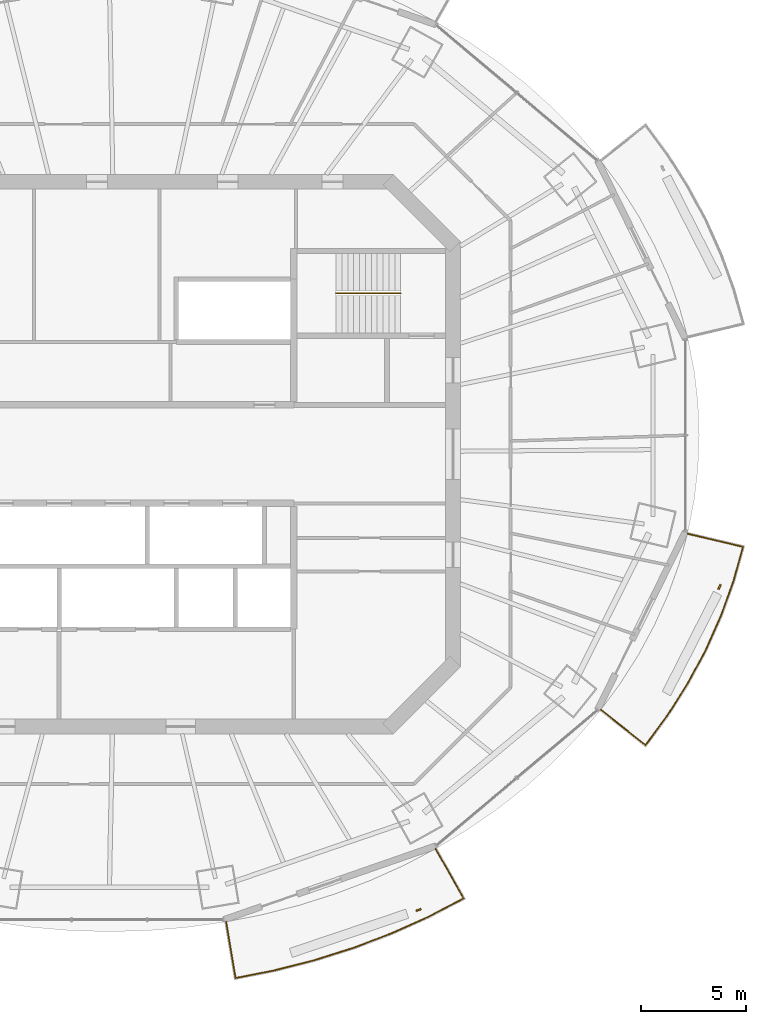
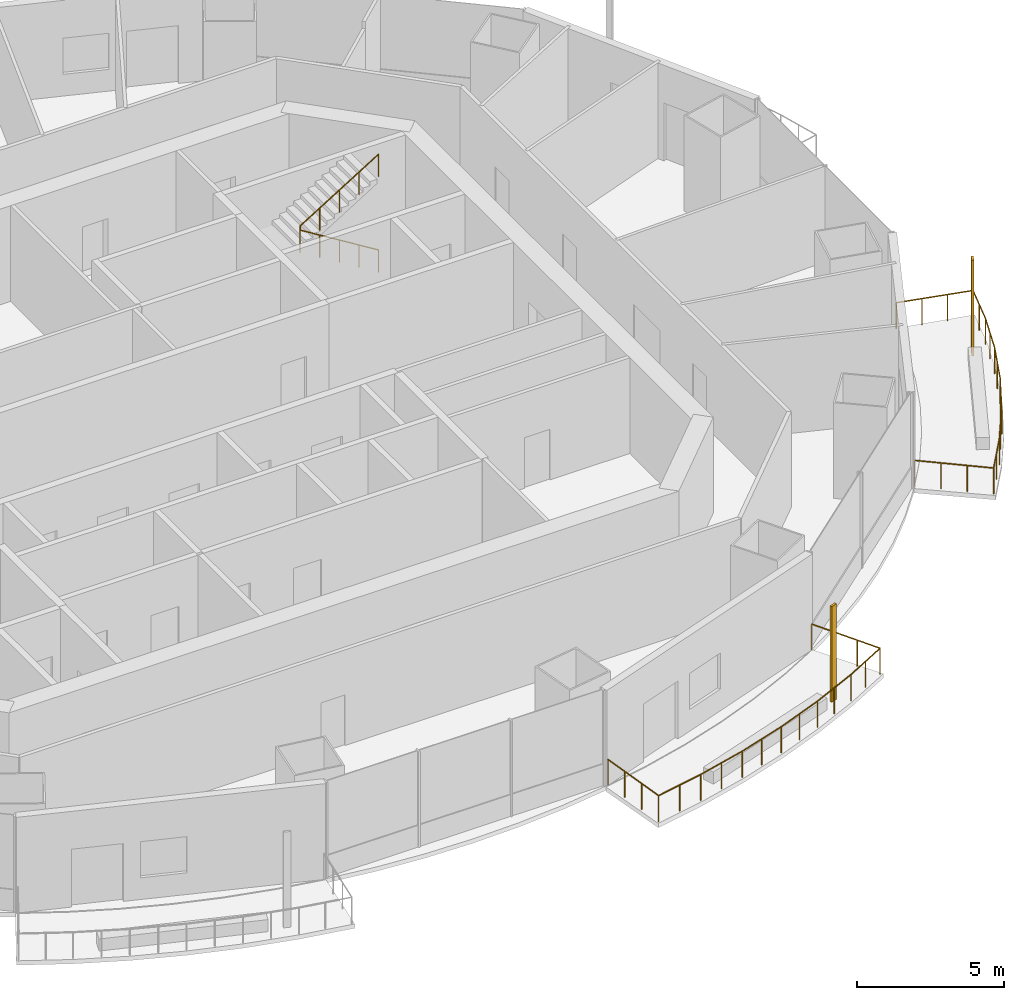
# One storey, part 13 of 16: 3 railings, 2 shading devices.
"""IFC4 building model written with IfcOpenShell, lengths in metres."""

from ifc_helpers import new_model, si_unit, direction, frame, origin, origin_2d, place, context, subcontext, project, spatial, rectangle, circle, extrude, material, material_profile, profile_set, type_object, element, save


model = new_model("IFC4")

# Units and contexts
model_context = context("Model", 3, precision=1e-05, world=origin(), true_north=direction((0.0, 1.0)))
body_context = subcontext(model_context, "Body", "Model", "MODEL_VIEW")
ifc_project = project(units=[si_unit("LENGTHUNIT", "METRE"), si_unit("AREAUNIT", "SQUARE_METRE"), si_unit("VOLUMEUNIT", "CUBIC_METRE"), si_unit("PLANEANGLEUNIT", "RADIAN"), si_unit("MASSUNIT", "GRAM", prefix="KILO")], contexts=[model_context])

# Site, building, storey
site_placement = place(None, origin())
site = spatial("IfcSite", under=ifc_project, at=site_placement, CompositionType="ELEMENT")
building_placement = place(site_placement, origin())
building = spatial("IfcBuilding", under=site, at=building_placement, Name="Marenthal Gate Tower", CompositionType="ELEMENT")
storey_placement = place(building_placement, frame((0.0, 0.0, 309.39990234375)))
storey = spatial("IfcBuildingStorey", under=building, at=storey_placement, Name="L69", CompositionType="ELEMENT", Elevation=309.39990234375)

# Railings
ifc_material_1 = material(Name="Stainless steel", Category="steel")
railing_type_1 = type_object("IfcRailingType", Name="Balcony guard 1100", PredefinedType="GUARDRAIL", material=ifc_material_1)
railing_1_placement = place(storey_placement, frame((15.171875, -18.83837890625, 0.0)))
element("IfcRailing", 1, at=railing_1_placement, inside=storey, type_object=railing_type_1, Name="Balcony guard L69 bay 13", PredefinedType="GUARDRAIL", context=body_context, shape_type="SweptSolid", body=[
    extrude(circle(Radius=0.02392578125, at=origin_2d()), frame((0.0, 0.0, 1.076171875), z_axis=(0.490391992538, -0.871379182934, -0.014629190114), x_axis=(0.871472441229, 0.490444476143, 0.0)), (0.0, 0.0, 1.0), 2.72021484375),
    extrude(circle(Radius=0.02392578125, at=origin_2d()), frame((1.333984375, -2.370361328125, 1.0361328125), z_axis=(-0.88661074156, -0.462516370467, 0.0), x_axis=(0.462516370467, -0.88661074156, 0.0)), (0.0, 0.0, 1.0), 1.84912109375),
    extrude(circle(Radius=0.02392578125, at=origin_2d()), frame((-0.305419921875, -3.2255859375, 1.0361328125), z_axis=(-0.911961495796, -0.410275797709, 0.0), x_axis=(0.410275797709, -0.911961495796, 0.0)), (0.0, 0.0, 1.0), 1.941650390625),
    extrude(circle(Radius=0.02392578125, at=origin_2d()), frame((-2.076171875, -4.022216796875, 1.0361328125), z_axis=(-0.934353071851, -0.3563486174, 0.0), x_axis=(0.3563486174, -0.934353071851, 0.0)), (0.0, 0.0, 1.0), 1.953857421875),
    extrude(circle(Radius=0.02392578125, at=origin_2d()), frame((-3.90185546875, -4.718505859375, 1.0361328125), z_axis=(-0.953336263061, -0.301910532331, 0.0), x_axis=(0.301910532331, -0.953336263061, 0.0)), (0.0, 0.0, 1.0), 1.964111328125),
    extrude(circle(Radius=0.02392578125, at=origin_2d()), frame((-5.7744140625, -5.3115234375, 1.0361328125), z_axis=(-0.968929698625, -0.247336287518, 0.0), x_axis=(0.247336287518, -0.968929698625, 0.0)), (0.0, 0.0, 1.0), 1.97314453125),
    extrude(circle(Radius=0.02392578125, at=origin_2d()), frame((-7.686279296875, -5.799560546875, 1.0361328125), z_axis=(-0.981061826101, -0.193694846002, 0.0), x_axis=(0.193694846002, -0.981061826101, 0.0)), (0.0, 0.0, 1.0), 1.900634765625),
    extrude(circle(Radius=0.02392578125, at=origin_2d()), frame((-9.551025390625, -6.167724609375, 1.0361328125), z_axis=(-0.165225448315, 0.986147325412, 0.014628869134), x_axis=(-0.986252861995, -0.165243130591, 0.0)), (0.0, 0.0, 1.0), 2.72021484375),
    extrude(circle(Radius=0.02099609375, at=origin_2d()), origin(), (0.0, 0.0, 1.0), 1.052001953125),
    extrude(circle(Radius=0.02099609375, at=origin_2d()), frame((0.444580078125, -0.7900390625, -0.01318359375)), (0.0, 0.0, 1.0), 1.052001953125),
    extrude(circle(Radius=0.02099609375, at=origin_2d()), frame((0.889404296875, -1.580322265625, -0.026611328125)), (0.0, 0.0, 1.0), 1.052001953125),
    extrude(circle(Radius=0.02099609375, at=origin_2d()), frame((1.333984375, -2.370361328125, -0.039794921875)), (0.0, 0.0, 1.0), 1.052001953125),
    extrude(circle(Radius=0.02099609375, at=origin_2d()), frame((0.51416015625, -2.7978515625, -0.039794921875)), (0.0, 0.0, 1.0), 1.052001953125),
    extrude(circle(Radius=0.02099609375, at=origin_2d()), frame((-0.305419921875, -3.2255859375, -0.039794921875)), (0.0, 0.0, 1.0), 1.052001953125),
    extrude(circle(Radius=0.02099609375, at=origin_2d()), frame((-1.19091796875, -3.6240234375, -0.039794921875)), (0.0, 0.0, 1.0), 1.052001953125),
    extrude(circle(Radius=0.02099609375, at=origin_2d()), frame((-2.076171875, -4.022216796875, -0.039794921875)), (0.0, 0.0, 1.0), 1.052001953125),
    extrude(circle(Radius=0.02099609375, at=origin_2d()), frame((-2.989013671875, -4.370361328125, -0.039794921875)), (0.0, 0.0, 1.0), 1.052001953125),
    extrude(circle(Radius=0.02099609375, at=origin_2d()), frame((-3.90185546875, -4.718505859375, -0.039794921875)), (0.0, 0.0, 1.0), 1.052001953125),
    extrude(circle(Radius=0.02099609375, at=origin_2d()), frame((-4.838134765625, -5.01513671875, -0.039794921875)), (0.0, 0.0, 1.0), 1.052001953125),
    extrude(circle(Radius=0.02099609375, at=origin_2d()), frame((-5.7744140625, -5.3115234375, -0.039794921875)), (0.0, 0.0, 1.0), 1.052001953125),
    extrude(circle(Radius=0.02099609375, at=origin_2d()), frame((-6.73046875, -5.5556640625, -0.039794921875)), (0.0, 0.0, 1.0), 1.052001953125),
    extrude(circle(Radius=0.02099609375, at=origin_2d()), frame((-7.686279296875, -5.799560546875, -0.039794921875)), (0.0, 0.0, 1.0), 1.052001953125),
    extrude(circle(Radius=0.02099609375, at=origin_2d()), frame((-8.61865234375, -5.983642578125, -0.039794921875)), (0.0, 0.0, 1.0), 1.052001953125),
    extrude(circle(Radius=0.02099609375, at=origin_2d()), frame((-9.551025390625, -6.167724609375, -0.039794921875)), (0.0, 0.0, 1.0), 1.052001953125),
    extrude(circle(Radius=0.02099609375, at=origin_2d()), frame((-9.700927734375, -5.2734375, -0.026611328125)), (0.0, 0.0, 1.0), 1.052001953125),
    extrude(circle(Radius=0.02099609375, at=origin_2d()), frame((-9.8505859375, -4.37939453125, -0.01318359375)), (0.0, 0.0, 1.0), 1.052001953125),
    extrude(circle(Radius=0.02099609375, at=origin_2d()), frame((-10.00048828125, -3.485107421875, 0.0)), (0.0, 0.0, 1.0), 1.052001953125),
])
railing_2_placement = place(storey_placement, frame((27.194580078125, -3.800048828125, 0.0)))
element("IfcRailing", 2, at=railing_2_placement, inside=storey, type_object=railing_type_1, Name="Balcony guard L69 bay 15", PredefinedType="GUARDRAIL", context=body_context, shape_type="SweptSolid", body=[
    extrude(circle(Radius=0.02392578125, at=origin_2d()), frame((0.0, 0.0, 1.076171875), z_axis=(0.973138523141, -0.22975510645, -0.014628938419), x_axis=(0.229779694864, 0.97324266852, 0.0)), (0.0, 0.0, 1.0), 2.72021484375),
    extrude(circle(Radius=0.02392578125, at=origin_2d()), frame((2.647216796875, -0.625, 1.0361328125), z_axis=(-0.268699441424, -0.963224070598, 0.0), x_axis=(0.963224070598, -0.268699441424, 0.0)), (0.0, 0.0, 1.0), 1.693603515625),
    extrude(circle(Radius=0.02392578125, at=origin_2d()), frame((2.192138671875, -2.25634765625, 1.0361328125), z_axis=(-0.339078586837, -0.940758051759, 0.0), x_axis=(0.940758051759, -0.339078586837, 0.0)), (0.0, 0.0, 1.0), 1.78125),
    extrude(circle(Radius=0.02392578125, at=origin_2d()), frame((1.588134765625, -3.93212890625, 1.0361328125), z_axis=(-0.408237493427, -0.91287575768, 0.0), x_axis=(0.91287575768, -0.408237493427, 0.0)), (0.0, 0.0, 1.0), 1.79052734375),
    extrude(circle(Radius=0.02392578125, at=origin_2d()), frame((0.857177734375, -5.566650390625, 1.0361328125), z_axis=(-0.473954337588, -0.880549422736, 0.0), x_axis=(0.880549422736, -0.473954337588, 0.0)), (0.0, 0.0, 1.0), 1.80126953125),
    extrude(circle(Radius=0.02392578125, at=origin_2d()), frame((0.00341796875, -7.15283203125, 1.0361328125), z_axis=(-0.536108654335, -0.844148986108, 0.0), x_axis=(0.844148986108, -0.536108654335, 0.0)), (0.0, 0.0, 1.0), 1.8134765625),
    extrude(circle(Radius=0.02392578125, at=origin_2d()), frame((-0.96875, -8.68359375, 1.0361328125), z_axis=(-0.592955892539, -0.805234940563, 0.0), x_axis=(0.805234940563, -0.592955892539, 0.0)), (0.0, 0.0, 1.0), 1.7470703125),
    extrude(circle(Radius=0.02392578125, at=origin_2d()), frame((-2.004638671875, -10.09033203125, 1.0361328125), z_axis=(-0.783370152294, 0.621383312462, 0.014628174456), x_axis=(-0.621449806018, -0.783453979886, 0.0)), (0.0, 0.0, 1.0), 2.720458984375),
    extrude(circle(Radius=0.02099609375, at=origin_2d()), origin(), (0.0, 0.0, 1.0), 1.052001953125),
    extrude(circle(Radius=0.02099609375, at=origin_2d()), frame((0.88232421875, -0.208251953125, -0.01318359375)), (0.0, 0.0, 1.0), 1.052001953125),
    extrude(circle(Radius=0.02099609375, at=origin_2d()), frame((1.764892578125, -0.416748046875, -0.026611328125)), (0.0, 0.0, 1.0), 1.052001953125),
    extrude(circle(Radius=0.02099609375, at=origin_2d()), frame((2.647216796875, -0.625, -0.039794921875)), (0.0, 0.0, 1.0), 1.052001953125),
    extrude(circle(Radius=0.02099609375, at=origin_2d()), frame((2.419677734375, -1.440673828125, -0.039794921875)), (0.0, 0.0, 1.0), 1.052001953125),
    extrude(circle(Radius=0.02099609375, at=origin_2d()), frame((2.192138671875, -2.25634765625, -0.039794921875)), (0.0, 0.0, 1.0), 1.052001953125),
    extrude(circle(Radius=0.02099609375, at=origin_2d()), frame((1.89013671875, -3.09423828125, -0.039794921875)), (0.0, 0.0, 1.0), 1.052001953125),
    extrude(circle(Radius=0.02099609375, at=origin_2d()), frame((1.588134765625, -3.93212890625, -0.039794921875)), (0.0, 0.0, 1.0), 1.052001953125),
    extrude(circle(Radius=0.02099609375, at=origin_2d()), frame((1.22265625, -4.74951171875, -0.039794921875)), (0.0, 0.0, 1.0), 1.052001953125),
    extrude(circle(Radius=0.02099609375, at=origin_2d()), frame((0.857177734375, -5.566650390625, -0.039794921875)), (0.0, 0.0, 1.0), 1.052001953125),
    extrude(circle(Radius=0.02099609375, at=origin_2d()), frame((0.43017578125, -6.35986328125, -0.039794921875)), (0.0, 0.0, 1.0), 1.052001953125),
    extrude(circle(Radius=0.02099609375, at=origin_2d()), frame((0.00341796875, -7.15283203125, -0.039794921875)), (0.0, 0.0, 1.0), 1.052001953125),
    extrude(circle(Radius=0.02099609375, at=origin_2d()), frame((-0.482666015625, -7.918212890625, -0.039794921875)), (0.0, 0.0, 1.0), 1.052001953125),
    extrude(circle(Radius=0.02099609375, at=origin_2d()), frame((-0.96875, -8.68359375, -0.039794921875)), (0.0, 0.0, 1.0), 1.052001953125),
    extrude(circle(Radius=0.02099609375, at=origin_2d()), frame((-1.48681640625, -9.386962890625, -0.039794921875)), (0.0, 0.0, 1.0), 1.052001953125),
    extrude(circle(Radius=0.02099609375, at=origin_2d()), frame((-2.004638671875, -10.09033203125, -0.039794921875)), (0.0, 0.0, 1.0), 1.052001953125),
    extrude(circle(Radius=0.02099609375, at=origin_2d()), frame((-2.715087890625, -9.52685546875, -0.026611328125)), (0.0, 0.0, 1.0), 1.052001953125),
    extrude(circle(Radius=0.02099609375, at=origin_2d()), frame((-3.42529296875, -8.96337890625, -0.01318359375)), (0.0, 0.0, 1.0), 1.052001953125),
    extrude(circle(Radius=0.02099609375, at=origin_2d()), frame((-4.1357421875, -8.39990234375, 0.0)), (0.0, 0.0, 1.0), 1.052001953125),
])
ifc_material_2 = material(Name="Stainless steel", Category="steel")
railing_type_2 = type_object("IfcRailingType", Name="Stair handrail", PredefinedType="HANDRAIL", material=ifc_material_2)
railing_3_placement = place(storey_placement, frame((13.5, 7.675048828125, 0.173095703125)))
element("IfcRailing", 3, at=railing_3_placement, inside=storey, type_object=railing_type_2, Name="Handrail ST3", PredefinedType="HANDRAIL", context=body_context, shape_type="SweptSolid", body=[
    extrude(circle(Radius=0.0224609375, at=origin_2d()), frame((0.0, 0.0, 0.927490234375), z_axis=(-0.850835241893, 0.0, 0.525432575268), x_axis=(0.0, -1.0, 0.0)), (0.0, 0.0, 1.0), 3.6201171875),
    extrude(circle(Radius=0.0224609375, at=origin_2d()), frame((-3.080078125, 0.0, 2.82958984375), z_axis=(0.0, 0.0, 1.0), x_axis=(1.0, 0.0, 0.0)), (0.0, 0.0, 1.0), 0.1728515625),
    extrude(circle(Radius=0.0224609375, at=origin_2d()), frame((-3.080078125, 0.0, 3.00244140625), z_axis=(0.850835241893, 0.0, 0.525432575268), x_axis=(0.0, 1.0, 0.0)), (0.0, 0.0, 1.0), 3.6201171875),
    extrude(circle(Radius=0.02001953125, at=origin_2d()), origin(), (0.0, 0.0, 1.0), 0.905029296875),
    extrude(circle(Radius=0.02001953125, at=origin_2d()), frame((-0.77001953125, 0.0, 0.4755859375)), (0.0, 0.0, 1.0), 0.905029296875),
    extrude(circle(Radius=0.02001953125, at=origin_2d()), frame((-1.5400390625, 0.0, 0.951171875)), (0.0, 0.0, 1.0), 0.905029296875),
    extrude(circle(Radius=0.02001953125, at=origin_2d()), frame((-2.31005859375, 0.0, 1.426513671875)), (0.0, 0.0, 1.0), 0.905029296875),
    extrude(circle(Radius=0.02001953125, at=origin_2d()), frame((-3.080078125, 0.0, 1.902099609375)), (0.0, 0.0, 1.0), 0.905029296875),
    extrude(circle(Radius=0.02001953125, at=origin_2d()), frame((-3.080078125, 0.0, 2.074951171875)), (0.0, 0.0, 1.0), 0.905029296875),
    extrude(circle(Radius=0.02001953125, at=origin_2d()), frame((-2.31005859375, 0.0, 2.550537109375)), (0.0, 0.0, 1.0), 0.905029296875),
    extrude(circle(Radius=0.02001953125, at=origin_2d()), frame((-1.5400390625, 0.0, 3.02587890625)), (0.0, 0.0, 1.0), 0.905029296875),
    extrude(circle(Radius=0.02001953125, at=origin_2d()), frame((-0.77001953125, 0.0, 3.50146484375)), (0.0, 0.0, 1.0), 0.905029296875),
    extrude(circle(Radius=0.02001953125, at=origin_2d()), frame((0.0, 0.0, 3.97705078125)), (0.0, 0.0, 1.0), 0.905029296875),
])

# Shading devices
ifc_material_3 = material(Name="Terracotta", Category="masonry")
ifc_material_profile = material_profile(ifc_material_3, rectangle(XDim=0.25, YDim=0.080078125, at=origin_2d()), Name="Terracotta baguette 250x80")
ifc_profile_set = profile_set([ifc_material_profile], Name="Terracotta")
shading_device_type = type_object("IfcShadingDeviceType", Name="Terracotta BAGUETTE SCREEN 250x80", PredefinedType="USERDEFINED", material=ifc_profile_set)
for number, where, z_axis, x_axis, name in (
    (4, (14.3564453125, -21.756103515625, -0.039794921875), (0.0, 0.0, 1.0), (0.944249095616, 0.329231902203, 0.0), "Terracotta BAGUETTE L69 bay 13R"),
    (5, (28.719970703125, -6.337158203125, -0.039794921875), (0.0, 0.0, 1.0), (0.441517596382, 0.897252591016, 0.0), "Terracotta BAGUETTE L69 bay 15R"),
):
    element("IfcShadingDevice", number, at=place(storey_placement, frame(where, z_axis=z_axis, x_axis=x_axis)), inside=storey, type_object=shading_device_type, Name=name, ObjectType="BAGUETTE SCREEN", PredefinedType="USERDEFINED", context=body_context, shape_type="SweptSolid", body=[
        extrude(rectangle(XDim=0.25, YDim=0.080078125, at=origin_2d()), origin(), (0.0, 0.0, 1.0), 3.969970703125),
    ])

save(model, "model.ifc")
